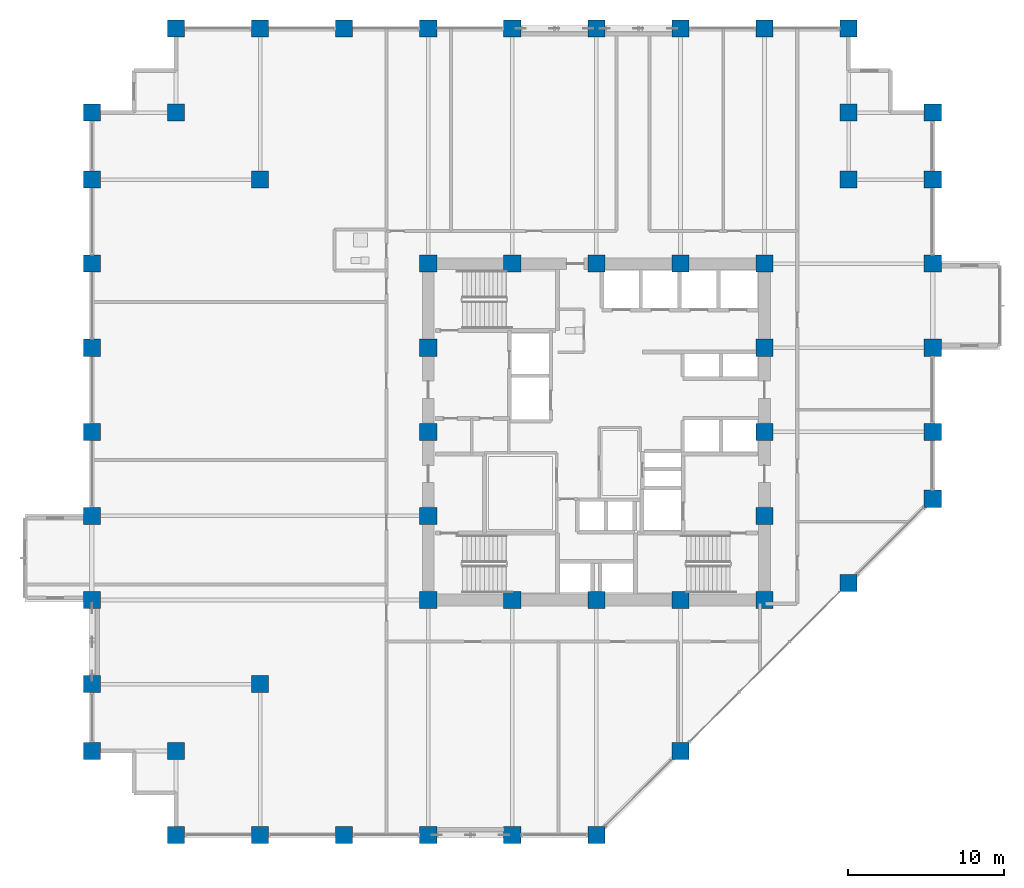
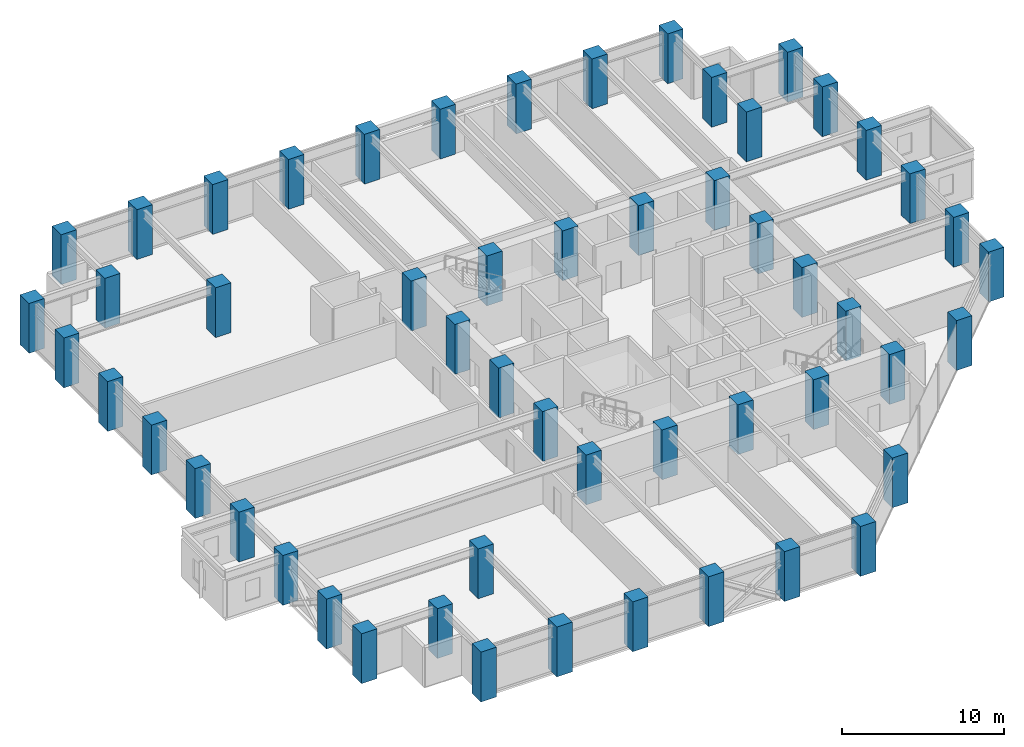
# One storey, part 1 of 29: 54 columns.
"""IFC4 building model written with IfcOpenShell, lengths in metres."""

from ifc_helpers import new_model, si_unit, direction, frame, origin, origin_2d, place, context, subcontext, project, spatial, rectangle, extrude, material, material_profile, profile_set, type_object, element, save


model = new_model("IFC4")

# Units and contexts
model_context = context("Model", 3, precision=1e-05, world=origin(), true_north=direction((0.0, 1.0)))
body_context = subcontext(model_context, "Body", "Model", "MODEL_VIEW")
ifc_project = project(units=[si_unit("LENGTHUNIT", "METRE"), si_unit("AREAUNIT", "SQUARE_METRE"), si_unit("VOLUMEUNIT", "CUBIC_METRE"), si_unit("PLANEANGLEUNIT", "RADIAN"), si_unit("MASSUNIT", "GRAM", prefix="KILO")], contexts=[model_context])

# Site, building, storey
site_placement = place(None, origin())
site = spatial("IfcSite", under=ifc_project, at=site_placement, CompositionType="ELEMENT")
building_placement = place(site_placement, origin())
building = spatial("IfcBuilding", under=site, at=building_placement, Name="Surkhivell Harbour Commons", CompositionType="ELEMENT")
storey_placement = place(building_placement, frame((0.0, 0.0, 87.0)))
storey = spatial("IfcBuildingStorey", under=building, at=storey_placement, Name="L22", CompositionType="ELEMENT", Elevation=87.0)

# Columns
ifc_material = material(Name="Concrete C60/75", Category="concrete")
ifc_material_profile = material_profile(ifc_material, rectangle(XDim=1.10009765625, YDim=1.10009765625, at=origin_2d()), Name="RC-COL-1100x1100")
ifc_profile_set = profile_set([ifc_material_profile], Name="Concrete C60/75")
column_type = type_object("IfcColumnType", Name="COL-TUBE-Z2A", PredefinedType="COLUMN", material=ifc_profile_set)
for number, where, z_axis, x_axis, name in (
    (1, (-32.39990234375, -20.5, 0.0), (0.0, 0.0, 1.0), (1.0, 0.0, 0.0), "L22 Column CT-2A (-32.4,-20.5)"),
    (2, (-32.39990234375, -16.199951171875, 0.0), (0.0, 0.0, 1.0), (1.0, 0.0, 0.0), "L22 Column CT-2A (-32.4,-16.2)"),
    (3, (-32.39990234375, -10.800048828125, 0.0), (0.0, 0.0, 1.0), (1.0, 0.0, 0.0), "L22 Column CT-2A (-32.4,-10.8)"),
    (4, (-32.39990234375, -5.39990234375, 0.0), (0.0, 0.0, 1.0), (1.0, 0.0, 0.0), "L22 Column CT-2A (-32.4,-5.4)"),
    (5, (-32.39990234375, 0.0, 0.0), (0.0, 0.0, 1.0), (1.0, 0.0, 0.0), "L22 Column CT-2A (-32.4,0.0)"),
    (6, (-32.39990234375, 5.39990234375, 0.0), (0.0, 0.0, 1.0), (1.0, 0.0, 0.0), "L22 Column CT-2A (-32.4,5.4)"),
    (7, (-32.39990234375, 10.800048828125, 0.0), (0.0, 0.0, 1.0), (1.0, 0.0, 0.0), "L22 Column CT-2A (-32.4,10.8)"),
    (8, (-32.39990234375, 16.199951171875, 0.0), (0.0, 0.0, 1.0), (1.0, 0.0, 0.0), "L22 Column CT-2A (-32.4,16.2)"),
    (9, (-32.39990234375, 20.5, 0.0), (0.0, 0.0, 1.0), (1.0, 0.0, 0.0), "L22 Column CT-2A (-32.4,20.5)"),
    (10, (-27.0, -25.89990234375, 0.0), (0.0, 0.0, 1.0), (1.0, 0.0, 0.0), "L22 Column CT-2A (-27.0,-25.9)"),
    (11, (-27.0, -20.5, 0.0), (0.0, 0.0, 1.0), (1.0, 0.0, 0.0), "L22 Column CT-2A (-27.0,-20.5)"),
    (12, (-27.0, 20.5, 0.0), (0.0, 0.0, 1.0), (1.0, 0.0, 0.0), "L22 Column CT-2A (-27.0,20.5)"),
    (13, (-27.0, 25.89990234375, 0.0), (0.0, 0.0, 1.0), (1.0, 0.0, 0.0), "L22 Column CT-2A (-27.0,25.9)"),
    (14, (-21.60009765625, -25.89990234375, 0.0), (0.0, 0.0, 1.0), (1.0, 0.0, 0.0), "L22 Column CT-2A (-21.6,-25.9)"),
    (15, (-21.60009765625, -16.199951171875, 0.0), (0.0, 0.0, 1.0), (1.0, 0.0, 0.0), "L22 Column CT-2A (-21.6,-16.2)"),
    (16, (-21.60009765625, 16.199951171875, 0.0), (0.0, 0.0, 1.0), (1.0, 0.0, 0.0), "L22 Column CT-2A (-21.6,16.2)"),
    (17, (-21.60009765625, 25.89990234375, 0.0), (0.0, 0.0, 1.0), (1.0, 0.0, 0.0), "L22 Column CT-2A (-21.6,25.9)"),
    (18, (-16.199951171875, -25.89990234375, 0.0), (0.0, 0.0, 1.0), (1.0, 0.0, 0.0), "L22 Column CT-2A (-16.2,-25.9)"),
    (19, (-16.199951171875, 25.89990234375, 0.0), (0.0, 0.0, 1.0), (1.0, 0.0, 0.0), "L22 Column CT-2A (-16.2,25.9)"),
    (20, (-10.800048828125, -25.89990234375, 0.0), (0.0, 0.0, 1.0), (1.0, 0.0, 0.0), "L22 Column CT-2A (-10.8,-25.9)"),
    (21, (-10.800048828125, -10.800048828125, 0.0), (0.0, 0.0, 1.0), (1.0, 0.0, 0.0), "L22 Column CT-2A (-10.8,-10.8)"),
    (22, (-10.800048828125, -5.39990234375, 0.0), (0.0, 0.0, 1.0), (1.0, 0.0, 0.0), "L22 Column CT-2A (-10.8,-5.4)"),
    (23, (-10.800048828125, 0.0, 0.0), (0.0, 0.0, 1.0), (1.0, 0.0, 0.0), "L22 Column CT-2A (-10.8,0.0)"),
    (24, (-10.800048828125, 5.39990234375, 0.0), (0.0, 0.0, 1.0), (1.0, 0.0, 0.0), "L22 Column CT-2A (-10.8,5.4)"),
    (25, (-10.800048828125, 10.800048828125, 0.0), (0.0, 0.0, 1.0), (1.0, 0.0, 0.0), "L22 Column CT-2A (-10.8,10.8)"),
    (26, (-10.800048828125, 25.89990234375, 0.0), (0.0, 0.0, 1.0), (1.0, 0.0, 0.0), "L22 Column CT-2A (-10.8,25.9)"),
    (27, (-5.39990234375, -25.89990234375, 0.0), (0.0, 0.0, 1.0), (1.0, 0.0, 0.0), "L22 Column CT-2A (-5.4,-25.9)"),
    (28, (-5.39990234375, -10.800048828125, 0.0), (0.0, 0.0, 1.0), (1.0, 0.0, 0.0), "L22 Column CT-2A (-5.4,-10.8)"),
    (29, (-5.39990234375, 10.800048828125, 0.0), (0.0, 0.0, 1.0), (1.0, 0.0, 0.0), "L22 Column CT-2A (-5.4,10.8)"),
    (30, (-5.39990234375, 25.89990234375, 0.0), (0.0, 0.0, 1.0), (1.0, 0.0, 0.0), "L22 Column CT-2A (-5.4,25.9)"),
    (31, (0.0, -25.89990234375, 0.0), (0.0, 0.0, 1.0), (1.0, 0.0, 0.0), "L22 Column CT-2A (-0.0,-25.9)"),
    (32, (0.0, -10.800048828125, 0.0), (0.0, 0.0, 1.0), (1.0, 0.0, 0.0), "L22 Column CT-2A (0.0,-10.8)"),
    (33, (0.0, 10.800048828125, 0.0), (0.0, 0.0, 1.0), (1.0, 0.0, 0.0), "L22 Column CT-2A (0.0,10.8)"),
    (34, (0.0, 25.89990234375, 0.0), (0.0, 0.0, 1.0), (1.0, 0.0, 0.0), "L22 Column CT-2A (-0.0,25.9)"),
    (35, (5.39990234375, -20.5, 0.0), (0.0, 0.0, 1.0), (1.0, 0.0, 0.0), "L22 Column CT-2A (5.4,-20.5)"),
    (36, (5.39990234375, -10.800048828125, 0.0), (0.0, 0.0, 1.0), (1.0, 0.0, 0.0), "L22 Column CT-2A (5.4,-10.8)"),
    (37, (5.39990234375, 10.800048828125, 0.0), (0.0, 0.0, 1.0), (1.0, 0.0, 0.0), "L22 Column CT-2A (5.4,10.8)"),
    (38, (5.39990234375, 25.89990234375, 0.0), (0.0, 0.0, 1.0), (1.0, 0.0, 0.0), "L22 Column CT-2A (5.4,25.9)"),
    (39, (10.800048828125, -10.800048828125, 0.0), (0.0, 0.0, 1.0), (1.0, 0.0, 0.0), "L22 Column CT-2A (10.8,-10.8)"),
    (40, (10.800048828125, -5.39990234375, 0.0), (0.0, 0.0, 1.0), (1.0, 0.0, 0.0), "L22 Column CT-2A (10.8,-5.4)"),
    (41, (10.800048828125, 0.0, 0.0), (0.0, 0.0, 1.0), (1.0, 0.0, 0.0), "L22 Column CT-2A (10.8,0.0)"),
    (42, (10.800048828125, 5.39990234375, 0.0), (0.0, 0.0, 1.0), (1.0, 0.0, 0.0), "L22 Column CT-2A (10.8,5.4)"),
    (43, (10.800048828125, 10.800048828125, 0.0), (0.0, 0.0, 1.0), (1.0, 0.0, 0.0), "L22 Column CT-2A (10.8,10.8)"),
    (44, (10.800048828125, 25.89990234375, 0.0), (0.0, 0.0, 1.0), (1.0, 0.0, 0.0), "L22 Column CT-2A (10.8,25.9)"),
    (45, (16.199951171875, -9.699951171875, 0.0), (0.0, 0.0, 1.0), (1.0, 0.0, 0.0), "L22 Column CT-2A (16.2,-9.7)"),
    (46, (16.199951171875, 16.199951171875, 0.0), (0.0, 0.0, 1.0), (1.0, 0.0, 0.0), "L22 Column CT-2A (16.2,16.2)"),
    (47, (16.199951171875, 20.5, 0.0), (0.0, 0.0, 1.0), (1.0, 0.0, 0.0), "L22 Column CT-2A (16.2,20.5)"),
    (48, (16.199951171875, 25.89990234375, 0.0), (0.0, 0.0, 1.0), (1.0, 0.0, 0.0), "L22 Column CT-2A (16.2,25.9)"),
    (49, (21.60009765625, -4.300048828125, 0.0), (0.0, 0.0, 1.0), (1.0, 0.0, 0.0), "L22 Column CT-2A (21.6,-4.3)"),
    (50, (21.60009765625, 0.0, 0.0), (0.0, 0.0, 1.0), (1.0, 0.0, 0.0), "L22 Column CT-2A (21.6,0.0)"),
    (51, (21.60009765625, 5.39990234375, 0.0), (0.0, 0.0, 1.0), (1.0, 0.0, 0.0), "L22 Column CT-2A (21.6,5.4)"),
    (52, (21.60009765625, 10.800048828125, 0.0), (0.0, 0.0, 1.0), (1.0, 0.0, 0.0), "L22 Column CT-2A (21.6,10.8)"),
    (53, (21.60009765625, 16.199951171875, 0.0), (0.0, 0.0, 1.0), (1.0, 0.0, 0.0), "L22 Column CT-2A (21.6,16.2)"),
    (54, (21.60009765625, 20.5, 0.0), (0.0, 0.0, 1.0), (1.0, 0.0, 0.0), "L22 Column CT-2A (21.6,20.5)"),
):
    element("IfcColumn", number, at=place(storey_placement, frame(where, z_axis=z_axis, x_axis=x_axis)), inside=storey, type_object=column_type, Name=name, PredefinedType="COLUMN", context=body_context, shape_type="SweptSolid", body=[
        extrude(rectangle(XDim=1.10009765625, YDim=1.10009765625, at=origin_2d()), origin(), (0.0, 0.0, 1.0), 3.75),
    ])

save(model, "model.ifc")
